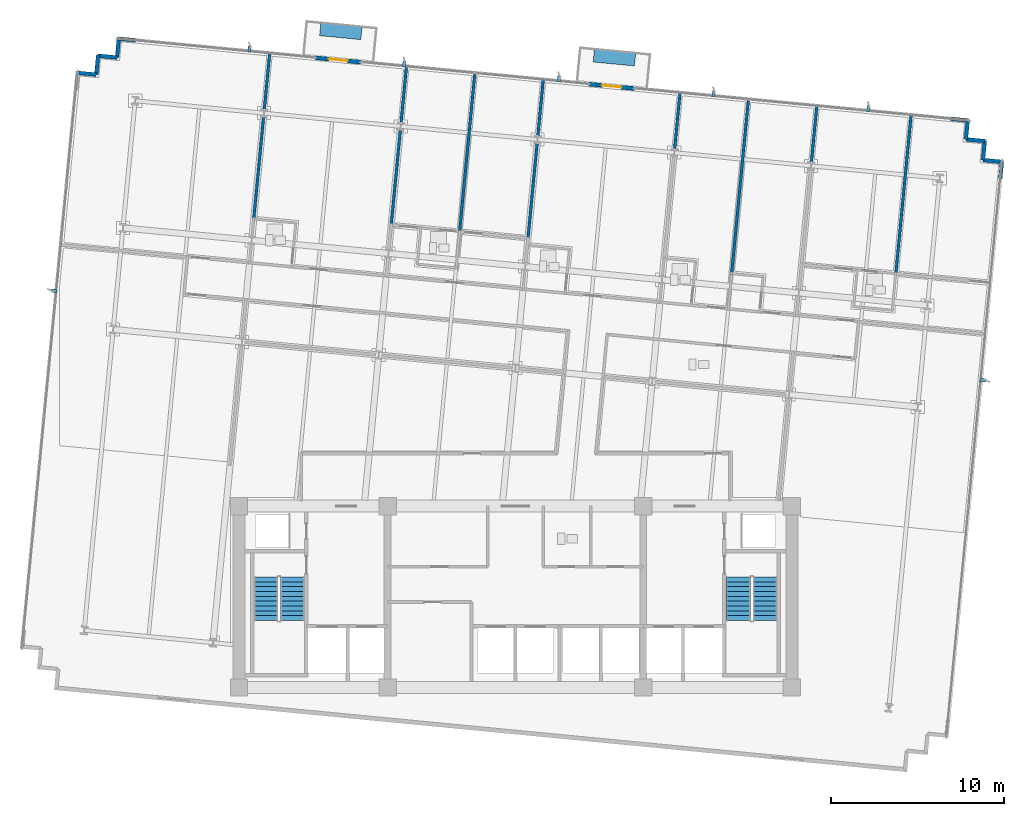
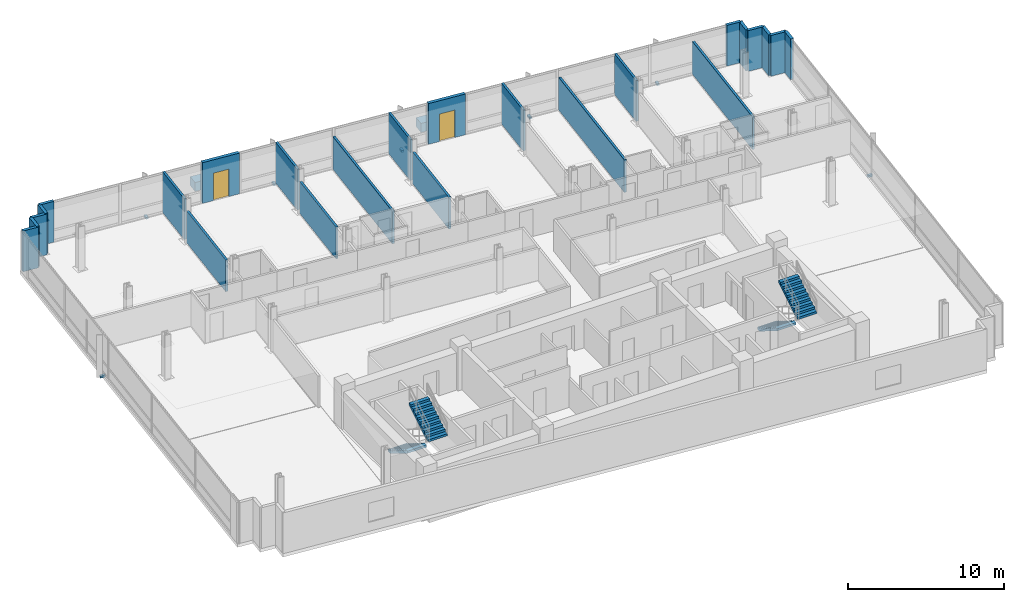
# One storey, part 13 of 17: 24 walls, 9 discrete accessories, 4 stair flights, 2 doors, 2 openings, 2 elements without a shape of their own.
"""IFC4 building model written with IfcOpenShell, lengths in metres."""

import ifcopenshell
import ifcopenshell.guid

model = None  # the IFC model being written
_history = None  # IfcOwnerHistory: only IFC2X3 demands one
_inside = {}  # id of a spatial element -> (the spatial element, [elements in it])
_under = {}  # id of a project, library or spatial element -> (it, [spatial elements below it])
_declared = {}  # id of a project -> (the project, [libraries it declares])
_typed = {}  # id of a type object -> (the type object, [elements of that type])
_made_of = {}  # id of a material, layer set ... -> (it, [elements and type objects made of it])


def new_model(schema):
    """Start an empty IFC model of exactly this schema.

    Asked for "IFC4X3", IfcOpenShell would pick the latest addendum, in which some entities
    have other attributes; the version numbers below select the first issue.
    IFC2X3 requires an IfcOwnerHistory on every rooted entity: one is made here for all.
    """
    global model, _history
    if schema == "IFC4X3":
        model = ifcopenshell.file(schema_version=(4, 3, 0, 0))
    else:
        model = ifcopenshell.file(schema=schema)
    _inside.clear()
    _under.clear()
    _declared.clear()
    _typed.clear()
    _made_of.clear()
    _history = None
    if model.schema == "IFC2X3":
        org = make("IfcOrganization", Name="unknown")
        user = make(
            "IfcPersonAndOrganization",
            ThePerson=make("IfcPerson", FamilyName="unknown"),
            TheOrganization=org,
        )
        app = make(
            "IfcApplication",
            ApplicationDeveloper=org,
            Version="unknown",
            ApplicationFullName="unknown",
            ApplicationIdentifier="unknown",
        )
        _history = make(
            "IfcOwnerHistory",
            OwningUser=user,
            OwningApplication=app,
            ChangeAction="ADDED",
            CreationDate=0,
        )
    return model


def make(cls, **values):
    """One entity of the class cls with the attributes given. An attribute that is None is left unset."""
    return model.create_entity(
        cls, **{name: value for name, value in values.items() if value is not None}
    )


def rooted(cls, **values):
    """An entity with a GlobalId (a new one), such as an element, a storey or a relation."""
    return make(cls, GlobalId=ifcopenshell.guid.new(), OwnerHistory=_history, **values)


def si_unit(unit_type, name, prefix=None):
    """IfcSIUnit, for example si_unit("LENGTHUNIT", "METRE", prefix="MILLI")."""
    return make("IfcSIUnit", UnitType=unit_type, Prefix=prefix, Name=name)


def assignment(units):
    """IfcUnitAssignment: the units of a project."""
    return None if units is None else make("IfcUnitAssignment", Units=units)


def point(xyz):
    """IfcCartesianPoint."""
    return None if xyz is None else make("IfcCartesianPoint", Coordinates=xyz)


def direction(xyz):
    """IfcDirection."""
    return None if xyz is None else make("IfcDirection", DirectionRatios=xyz)


def frame(location, z_axis=None, x_axis=None):
    """IfcAxis2Placement3D, a coordinate frame: its origin and axes. An axis left out is left unset."""
    return make(
        "IfcAxis2Placement3D",
        Location=point(location),
        Axis=direction(z_axis),
        RefDirection=direction(x_axis),
    )


def frame_2d(location, x_axis=None):
    """IfcAxis2Placement2D, a coordinate frame in the plane: its origin and x axis."""
    return make(
        "IfcAxis2Placement2D", Location=point(location), RefDirection=direction(x_axis)
    )


def origin():
    """The frame at (0, 0, 0) with its axes left unset."""
    return frame((0.0, 0.0, 0.0))


def origin_2d():
    """The frame at (0, 0) in the plane with its x axis left unset."""
    return frame_2d((0.0, 0.0))


def place(relative_to, where):
    """IfcLocalPlacement: puts the frame where relative to a parent placement (None: the world)."""
    return make(
        "IfcLocalPlacement", PlacementRelTo=relative_to, RelativePlacement=where
    )


def context(
    kind, dimensions, precision=None, world=None, true_north=None, identifier=None
):
    """IfcGeometricRepresentationContext, for example the 3D "Model" context."""
    return make(
        "IfcGeometricRepresentationContext",
        ContextIdentifier=identifier,
        ContextType=kind,
        CoordinateSpaceDimension=dimensions,
        Precision=precision,
        WorldCoordinateSystem=world,
        TrueNorth=true_north,
    )


def subcontext(parent, identifier, kind, view, scale=None):
    """IfcGeometricRepresentationSubContext, for example "Body" below "Model"."""
    return make(
        "IfcGeometricRepresentationSubContext",
        ContextIdentifier=identifier,
        ContextType=kind,
        ParentContext=parent,
        TargetScale=scale,
        TargetView=view,
    )


def project(units=None, contexts=None):
    """IfcProject with its units and contexts."""
    return rooted(
        "IfcProject",
        Name="project",
        RepresentationContexts=contexts,
        UnitsInContext=assignment(units),
    )


def spatial(cls, under=None, at=None, **own):
    """A site, building, storey or space (cls), placed at a placement, below another one or the project."""
    s = rooted(cls, ObjectPlacement=at, **own)
    if under is not None:
        _under.setdefault(under.id(), (under, []))[1].append(s)
    return s


def polyline(points):
    """IfcPolyline through the points."""
    return make("IfcPolyline", Points=[point(p) for p in points])


def profile(cls, at=None, kind="AREA", **sizes):
    """A parametric profile (cls). Its sizes go by their IFC names, for example OverallWidth=200.0."""
    return make(cls, ProfileType=kind, Position=at, **sizes)


def rectangle(**sizes):
    """IfcRectangleProfileDef."""
    return profile("IfcRectangleProfileDef", **sizes)


def outline(outer, holes=None, kind="AREA"):
    """IfcArbitraryClosedProfileDef: a profile drawn as a closed curve; with holes, ...WithVoids."""
    if holes is None:
        return make("IfcArbitraryClosedProfileDef", ProfileType=kind, OuterCurve=outer)
    return make(
        "IfcArbitraryProfileDefWithVoids",
        ProfileType=kind,
        OuterCurve=outer,
        InnerCurves=holes,
    )


def extrude(swept, where, along, depth):
    """IfcExtrudedAreaSolid: the profile swept, set in the frame where, extruded along a direction by depth."""
    return make(
        "IfcExtrudedAreaSolid",
        SweptArea=swept,
        Position=where,
        ExtrudedDirection=direction(along),
        Depth=depth,
    )


def shape(context_of_items, identifier, shape_type, items):
    """IfcShapeRepresentation: the items that make up one representation, for example the "Body"."""
    return make(
        "IfcShapeRepresentation",
        ContextOfItems=context_of_items,
        RepresentationIdentifier=identifier,
        RepresentationType=shape_type,
        Items=items,
    )


def material(Name=None, Category=None):
    """IfcMaterial."""
    return make("IfcMaterial", Name=Name, Category=Category)


def layer(
    of_material, thickness, ventilated=None, Name=None, Category=None, Priority=None
):
    """IfcMaterialLayer: one layer of a wall or slab, of a material (None: an air gap)."""
    return make(
        "IfcMaterialLayer",
        Material=of_material,
        LayerThickness=thickness,
        IsVentilated=ventilated,
        Name=Name,
        Category=Category,
        Priority=Priority,
    )


def layer_set(layers, Name=None):
    """IfcMaterialLayerSet."""
    return make("IfcMaterialLayerSet", MaterialLayers=layers, LayerSetName=Name)


def made_of(thing, what):
    """Note that an element or type object is made of a material, layer set ...; save() writes the relation."""
    if what is not None:
        _made_of.setdefault(what.id(), (what, []))[1].append(thing)
    return thing


def type_object(cls, material=None, **own):
    """A type object (cls), such as IfcWallType, which elements share."""
    return made_of(rooted(cls, **own), material)


def element(
    cls,
    number,
    at=None,
    inside=None,
    cuts=None,
    type_object=None,
    material=None,
    context=None,
    identifier="Body",
    shape_type=None,
    held_by="IfcProductDefinitionShape",
    body=None,
    shapes=None,
    **own,
):
    """One element of the class cls, such as IfcWall. Its Tag is "e" and its number.

    at: its placement. inside: the storey or other place that contains it. cuts: it is an
    opening in that element (IfcRelVoidsElement). A single representation is given by context,
    identifier, shape_type and body (its items); several are given by shapes. held_by: the class
    of the entity that holds the representations. save() writes the other relations.
    """
    e = rooted(cls, Tag="e%d" % number, ObjectPlacement=at, **own)
    if body is not None:
        shapes = [shape(context, identifier, shape_type, body)]
    if shapes is not None:
        e.Representation = make(held_by, Representations=shapes)
    if inside is not None:
        _inside.setdefault(inside.id(), (inside, []))[1].append(e)
    if cuts is not None:
        rooted(
            "IfcRelVoidsElement", RelatingBuildingElement=cuts, RelatedOpeningElement=e
        )
    if type_object is not None:
        _typed.setdefault(type_object.id(), (type_object, []))[1].append(e)
    return made_of(e, material)


def fill(opening, filler):
    """IfcRelFillsElement: the door or window that sits in an opening."""
    return rooted(
        "IfcRelFillsElement",
        RelatingOpeningElement=opening,
        RelatedBuildingElement=filler,
    )


def aggregate(whole, parts):
    """IfcRelAggregates: a whole, such as a stair, and the parts it consists of."""
    return rooted("IfcRelAggregates", RelatingObject=whole, RelatedObjects=parts)


def save(model, path):
    """Write the relations noted so far, then the file.

    IfcRelAggregates (storeys below a building ...), IfcRelContainedInSpatialStructure (elements
    in a storey), IfcRelDefinesByType, IfcRelAssociatesMaterial and IfcRelDeclares: one each for
    every whole, place, type object, material and project.
    """
    for whole, parts in _under.values():
        aggregate(whole, parts)
    for where, things in _inside.values():
        rooted(
            "IfcRelContainedInSpatialStructure",
            RelatedElements=things,
            RelatingStructure=where,
        )
    for kind, things in _typed.values():
        rooted("IfcRelDefinesByType", RelatedObjects=things, RelatingType=kind)
    for what, things in _made_of.values():
        rooted("IfcRelAssociatesMaterial", RelatedObjects=things, RelatingMaterial=what)
    for by, libraries in _declared.values():
        rooted("IfcRelDeclares", RelatingContext=by, RelatedDefinitions=libraries)
    model.write(path)


model = new_model("IFC4")

# Units and contexts
model_context = context("Model", 3, precision=1e-05, world=origin(), true_north=direction((0.0, 1.0)))
body_context = subcontext(model_context, "Body", "Model", "MODEL_VIEW")
ifc_project = project(units=[si_unit("LENGTHUNIT", "METRE"), si_unit("AREAUNIT", "SQUARE_METRE"), si_unit("VOLUMEUNIT", "CUBIC_METRE"), si_unit("PLANEANGLEUNIT", "RADIAN"), si_unit("MASSUNIT", "GRAM", prefix="KILO")], contexts=[model_context])

# Site, building, storey
site_placement = place(None, origin())
site = spatial("IfcSite", under=ifc_project, at=site_placement, CompositionType="ELEMENT")
building_placement = place(site_placement, origin())
building = spatial("IfcBuilding", under=site, at=building_placement, Name="Solmavex Isthmus Hotel", CompositionType="ELEMENT")
storey_placement = place(building_placement, frame((0.0, 0.0, 146.25)))
storey = spatial("IfcBuildingStorey", under=building, at=storey_placement, Name="L39", CompositionType="ELEMENT", Elevation=146.25)

# Wall, opening, door
ifc_material_1 = material(Name="Precast Concrete C40/50", Category="concrete")
ifc_layer_1 = layer(ifc_material_1, 0.25)
ifc_layer_set_1 = layer_set([ifc_layer_1], Name="Precast Concrete C40/50")
wall_type_1 = type_object("IfcWallType", Name="EW-TWR-250", PredefinedType="STANDARD", material=ifc_layer_set_1)
wall_1_placement = place(storey_placement, frame((-11.5634765625, 23.46142578125, 0.0), z_axis=(0.0, 0.0, 1.0), x_axis=(0.995402144456, -0.095783979938, 0.0)))
wall_1 = element("IfcWall", 1, at=wall_1_placement, inside=storey, type_object=wall_type_1, Name="Exterior Balcony Door Wall L39-2", PredefinedType="STANDARD", context=body_context, shape_type="SweptSolid", body=[
    extrude(rectangle(XDim=2.599853515625, YDim=0.239990234375, at=frame_2d((1.2998046875, 0.0))), origin(), (0.0, 0.0, 1.0), 3.18994140625),
])
opening_1_placement = place(wall_1_placement, frame((0.75, 0.0, 0.0)))
opening_1 = element("IfcOpeningElement", 2, at=opening_1_placement, cuts=wall_1, Name="Opening ED-02", PredefinedType="OPENING", context=body_context, shape_type="SweptSolid", body=[
    extrude(rectangle(XDim=1.10009765625, YDim=2.14990234375, at=frame_2d((0.550048828125, 1.074951171875))), frame((0.0, 0.1298828125, 0.0), z_axis=(0.0, -1.0, 0.0), x_axis=(1.0, 0.0, 0.0)), (0.0, 0.0, 1.0), 0.260009765625),
])
ifc_material_2 = material(Name="Aluminium alloy 6063-T6", Category="aluminium")
door_type = type_object("IfcDoorType", Name="EDR-BALC-1100", OperationType="NOTDEFINED", PredefinedType="DOOR", material=ifc_material_2)
door_1_placement = place(opening_1_placement, origin())
door_1 = element("IfcDoor", 3, at=door_1_placement, inside=storey, type_object=door_type, Name="Balcony & Terrace Glazed Door L39-2", OperationType="SINGLE_SWING_RIGHT", OverallHeight=2.14990234375, OverallWidth=1.10009765625, PredefinedType="DOOR", context=body_context, shape_type="SweptSolid", body=[
    extrude(rectangle(XDim=1.10009765625, YDim=2.14990234375, at=frame_2d((0.550048828125, 1.074951171875))), frame((0.0, 0.02490234375, 0.0), z_axis=(0.0, -1.0, 0.0), x_axis=(1.0, 0.0, 0.0)), (0.0, 0.0, 1.0), 0.050048828125),
])
fill(opening_1, door_1)

wall_2_placement = place(storey_placement, frame((4.275146484375, 21.9365234375, 0.0), z_axis=(0.0, 0.0, 1.0), x_axis=(0.995394049959, -0.095868061976, 0.0)))
wall_2 = element("IfcWall", 4, at=wall_2_placement, inside=storey, type_object=wall_type_1, Name="Exterior Balcony Door Wall L39-3", PredefinedType="STANDARD", context=body_context, shape_type="SweptSolid", body=[
    extrude(rectangle(XDim=2.60009765625, YDim=0.239990234375, at=frame_2d((1.300048828125, 0.0))), origin(), (0.0, 0.0, 1.0), 3.18994140625),
])
opening_2_placement = place(wall_2_placement, frame((0.75, 0.0, 0.0)))
opening_2 = element("IfcOpeningElement", 5, at=opening_2_placement, cuts=wall_2, Name="Opening ED-02", PredefinedType="OPENING", context=body_context, shape_type="SweptSolid", body=[
    extrude(rectangle(XDim=1.10009765625, YDim=2.14990234375, at=frame_2d((0.550048828125, 1.074951171875))), frame((0.0, 0.1298828125, 0.0), z_axis=(0.0, -1.0, 0.0), x_axis=(1.0, 0.0, 0.0)), (0.0, 0.0, 1.0), 0.260009765625),
])
door_2_placement = place(opening_2_placement, origin())
door_2 = element("IfcDoor", 6, at=door_2_placement, inside=storey, type_object=door_type, Name="Balcony & Terrace Glazed Door L39-3", OperationType="SINGLE_SWING_LEFT", OverallHeight=2.14990234375, OverallWidth=1.10009765625, PredefinedType="DOOR", context=body_context, shape_type="SweptSolid", body=[
    extrude(rectangle(XDim=1.10009765625, YDim=2.14990234375, at=frame_2d((0.550048828125, 1.074951171875))), frame((0.0, 0.02490234375, 0.0), z_axis=(0.0, -1.0, 0.0), x_axis=(1.0, 0.0, 0.0)), (0.0, 0.0, 1.0), 0.050048828125),
])
fill(opening_2, door_2)

# Walls
for number, where, z_axis, x_axis, name in (
    (7, (-25.366455078125, 22.59033203125, 0.0), (0.0, 0.0, 1.0), (0.995414313875, -0.095657429048, 0.0), "Serrated Corner Facade Panel L39-08"),
    (8, (-24.271484375, 22.485107421875, 0.0), (0.0, 0.0, 1.0), (0.095657429048, 0.995414313875, 0.0), "Serrated Corner Facade Panel L39-09"),
    (9, (-24.166259765625, 23.580078125, 0.0), (0.0, 0.0, 1.0), (0.995393156894, -0.095877334176, 0.0), "Serrated Corner Facade Panel L39-10"),
    (10, (-23.0712890625, 23.474609375, 0.0), (0.0, 0.0, 1.0), (0.095877334176, 0.995393156894, 0.0), "Serrated Corner Facade Panel L39-11"),
):
    element("IfcWall", number, at=place(storey_placement, frame(where, z_axis=z_axis, x_axis=x_axis)), inside=storey, type_object=wall_type_1, Name=name, PredefinedType="STANDARD", context=body_context, shape_type="SweptSolid", body=[
        extrude(rectangle(XDim=1.10009765625, YDim=0.219970703125, at=frame_2d((0.550048828125, 0.0))), origin(), (0.0, 0.0, 1.0), 3.18994140625),
    ])
for number, where, z_axis, x_axis, name in (
    (11, (-22.9658203125, 24.569580078125, 0.0), (0.0, 0.0, 1.0), (0.995387314086, -0.095937974524, 0.0), "Serrated Corner Facade Panel L39-12"),
    (12, (25.201416015625, 19.931396484375, 0.0), (0.0, 0.0, 1.0), (0.99541083642, -0.095693608655, 0.0), "Serrated Corner Facade Panel L39-14"),
):
    element("IfcWall", number, at=place(storey_placement, frame(where, z_axis=z_axis, x_axis=x_axis)), inside=storey, type_object=wall_type_1, Name=name, PredefinedType="STANDARD", context=body_context, shape_type="SweptSolid", body=[
        extrude(rectangle(XDim=0.989990234375, YDim=0.219970703125, at=frame_2d((0.4951171875, 0.0))), origin(), (0.0, 0.0, 1.0), 3.18994140625),
    ])
wall_3_placement = place(storey_placement, frame((26.186767578125, 19.836669921875, 0.0), z_axis=(0.0, 0.0, 1.0), x_axis=(-0.095657429048, -0.995414313875, 0.0)))
element("IfcWall", 13, at=wall_3_placement, inside=storey, type_object=wall_type_1, Name="Serrated Corner Facade Panel L39-15", PredefinedType="STANDARD", context=body_context, shape_type="SweptSolid", body=[
    extrude(rectangle(XDim=1.10009765625, YDim=0.219970703125, at=frame_2d((0.550048828125, 0.0))), origin(), (0.0, 0.0, 1.0), 3.18994140625),
])
wall_4_placement = place(storey_placement, frame((26.08154296875, 18.74169921875, 0.0), z_axis=(0.0, 0.0, 1.0), x_axis=(0.995391116058, -0.095898519656, 0.0)))
element("IfcWall", 14, at=wall_4_placement, inside=storey, type_object=wall_type_1, Name="Serrated Corner Facade Panel L39-16", PredefinedType="STANDARD", context=body_context, shape_type="SweptSolid", body=[
    extrude(rectangle(XDim=1.099853515625, YDim=0.219970703125, at=frame_2d((0.5498046875, 0.0))), origin(), (0.0, 0.0, 1.0), 3.18994140625),
])
wall_5_placement = place(storey_placement, frame((27.17626953125, 18.63623046875, 0.0), z_axis=(0.0, 0.0, 1.0), x_axis=(-0.095657429048, -0.995414313875, 0.0)))
element("IfcWall", 15, at=wall_5_placement, inside=storey, type_object=wall_type_1, Name="Serrated Corner Facade Panel L39-17", PredefinedType="STANDARD", context=body_context, shape_type="SweptSolid", body=[
    extrude(rectangle(XDim=1.10009765625, YDim=0.219970703125, at=frame_2d((0.550048828125, 0.0))), origin(), (0.0, 0.0, 1.0), 3.18994140625),
])
wall_6_placement = place(storey_placement, frame((27.071044921875, 17.541259765625, 0.0), z_axis=(0.0, 0.0, 1.0), x_axis=(0.995391116058, -0.095898519656, 0.0)))
element("IfcWall", 16, at=wall_6_placement, inside=storey, type_object=wall_type_1, Name="Serrated Corner Facade Panel L39-18", PredefinedType="STANDARD", context=body_context, shape_type="SweptSolid", body=[
    extrude(rectangle(XDim=1.099853515625, YDim=0.219970703125, at=frame_2d((0.5498046875, 0.0))), origin(), (0.0, 0.0, 1.0), 3.18994140625),
])
wall_7_placement = place(storey_placement, frame((28.165771484375, 17.435791015625, 0.0), z_axis=(0.0, 0.0, 1.0), x_axis=(-0.095693608655, -0.99541083642, 0.0)))
element("IfcWall", 17, at=wall_7_placement, inside=storey, type_object=wall_type_1, Name="Serrated Corner Facade Panel L39-19", PredefinedType="STANDARD", context=body_context, shape_type="SweptSolid", body=[
    extrude(rectangle(XDim=0.989990234375, YDim=0.219970703125, at=frame_2d((0.4951171875, 0.0))), origin(), (0.0, 0.0, 1.0), 3.18994140625),
])
ifc_material_3 = material(Name="Gypsum plasterboard lining", Category="gypsum")
ifc_layer_2 = layer(ifc_material_3, 0.159912109375)
ifc_layer_set_2 = layer_set([ifc_layer_2], Name="Gypsum plasterboard lining")
wall_type_2 = type_object("IfcWallType", Name="IW-COMP-160", PredefinedType="PARTITIONING", material=ifc_layer_set_2)
wall_8_placement = place(storey_placement, frame((-14.57958984375, 20.0791015625, 0.0), z_axis=(0.0, 0.0, 1.0), x_axis=(-0.095823018237, -0.995398387168, 0.0)))
element("IfcWall", 18, at=wall_8_placement, inside=storey, type_object=wall_type_2, Name="Interior Partition Wall W-L39-P026", PredefinedType="PARTITIONING", context=body_context, shape_type="SweptSolid", body=[
    extrude(rectangle(XDim=6.05615234375, YDim=0.159912109375, at=frame_2d((3.028076171875, 0.0))), origin(), (0.0, 0.0, 1.0), 2.4794921875),
])
wall_9_placement = place(storey_placement, frame((-14.225341796875, 23.758056640625, 0.0), z_axis=(0.0, 0.0, 1.0), x_axis=(-0.095859866796, -0.995394839216, 0.0)))
element("IfcWall", 19, at=wall_9_placement, inside=storey, type_object=wall_type_2, Name="Interior Partition Wall W-L39-P027", PredefinedType="PARTITIONING", context=body_context, shape_type="SweptSolid", body=[
    extrude(rectangle(XDim=3.343994140625, YDim=0.159912109375, at=frame_2d((1.671875, 0.0))), origin(), (0.0, 0.0, 1.0), 3.18994140625),
])
wall_10_placement = place(storey_placement, frame((-6.66015625, 19.31640625, 0.0), z_axis=(0.0, 0.0, 1.0), x_axis=(-0.095877964448, -0.995393096185, 0.0)))
element("IfcWall", 20, at=wall_10_placement, inside=storey, type_object=wall_type_2, Name="Interior Partition Wall W-L39-P035", PredefinedType="PARTITIONING", context=body_context, shape_type="SweptSolid", body=[
    extrude(rectangle(XDim=5.64794921875, YDim=0.159912109375, at=frame_2d((2.823974609375, 0.0))), origin(), (0.0, 0.0, 1.0), 2.4794921875),
])
wall_11_placement = place(storey_placement, frame((-6.305908203125, 22.995361328125, 0.0), z_axis=(0.0, 0.0, 1.0), x_axis=(-0.095859866796, -0.995394839216, 0.0)))
element("IfcWall", 21, at=wall_11_placement, inside=storey, type_object=wall_type_2, Name="Interior Partition Wall W-L39-P036", PredefinedType="PARTITIONING", context=body_context, shape_type="SweptSolid", body=[
    extrude(rectangle(XDim=3.343994140625, YDim=0.159912109375, at=frame_2d((1.671875, 0.0))), origin(), (0.0, 0.0, 1.0), 3.18994140625),
])
wall_12_placement = place(storey_placement, frame((-2.35791015625, 22.49462890625, 0.0), z_axis=(0.0, 0.0, 1.0), x_axis=(-0.095827921947, -0.995397915095, 0.0)))
element("IfcWall", 22, at=wall_12_placement, inside=storey, type_object=wall_type_2, Name="Interior Partition Wall W-L39-P044", PredefinedType="PARTITIONING", context=body_context, shape_type="SweptSolid", body=[
    extrude(rectangle(XDim=9.181884765625, YDim=0.159912109375, at=frame_2d((4.5908203125, 0.0))), origin(), (0.0, 0.0, 1.0), 2.5576171875),
])
wall_13_placement = place(storey_placement, frame((1.259033203125, 18.553955078125, 0.0), z_axis=(0.0, 0.0, 1.0), x_axis=(-0.095807834241, -0.995399848753, 0.0)))
element("IfcWall", 23, at=wall_13_placement, inside=storey, type_object=wall_type_2, Name="Interior Partition Wall W-L39-P046", PredefinedType="PARTITIONING", context=body_context, shape_type="SweptSolid", body=[
    extrude(rectangle(XDim=5.606201171875, YDim=0.159912109375, at=frame_2d((2.80322265625, 0.0))), origin(), (0.0, 0.0, 1.0), 2.4794921875),
])
for number, where, z_axis, x_axis, name in (
    (24, (1.61328125, 22.23291015625, 0.0), (0.0, 0.0, 1.0), (-0.095787528641, -0.99540180297, 0.0), "Interior Partition Wall W-L39-P047"),
    (25, (9.53271484375, 21.470458984375, 0.0), (0.0, 0.0, 1.0), (-0.095859866796, -0.995394839216, 0.0), "Interior Partition Wall W-L39-P051"),
):
    element("IfcWall", number, at=place(storey_placement, frame(where, z_axis=z_axis, x_axis=x_axis)), inside=storey, type_object=wall_type_2, Name=name, PredefinedType="PARTITIONING", context=body_context, shape_type="SweptSolid", body=[
        extrude(rectangle(XDim=3.343994140625, YDim=0.159912109375, at=frame_2d((1.671875, 0.0))), origin(), (0.0, 0.0, 1.0), 3.18994140625),
    ])
wall_14_placement = place(storey_placement, frame((13.48095703125, 20.9697265625, 0.0), z_axis=(0.0, 0.0, 1.0), x_axis=(-0.095852900965, -0.995395510024, 0.0)))
element("IfcWall", 26, at=wall_14_placement, inside=storey, type_object=wall_type_2, Name="Interior Partition Wall W-L39-P056", PredefinedType="PARTITIONING", context=body_context, shape_type="SweptSolid", body=[
    extrude(rectangle(XDim=10.132080078125, YDim=0.159912109375, at=frame_2d((5.06591796875, 0.0))), origin(), (0.0, 0.0, 1.0), 2.5576171875),
])
wall_15_placement = place(storey_placement, frame((17.4521484375, 20.707763671875, 0.0), z_axis=(0.0, 0.0, 1.0), x_axis=(-0.095859866796, -0.995394839216, 0.0)))
element("IfcWall", 27, at=wall_15_placement, inside=storey, type_object=wall_type_2, Name="Interior Partition Wall W-L39-P063", PredefinedType="PARTITIONING", context=body_context, shape_type="SweptSolid", body=[
    extrude(rectangle(XDim=3.343994140625, YDim=0.159912109375, at=frame_2d((1.671875, 0.0))), origin(), (0.0, 0.0, 1.0), 3.18994140625),
])
wall_16_placement = place(storey_placement, frame((22.910888671875, 20.18212890625, 0.0), z_axis=(0.0, 0.0, 1.0), x_axis=(-0.095851937807, -0.995395602772, 0.0)))
element("IfcWall", 28, at=wall_16_placement, inside=storey, type_object=wall_type_2, Name="Interior Partition Wall W-L39-P070", PredefinedType="PARTITIONING", context=body_context, shape_type="SweptSolid", body=[
    extrude(rectangle(XDim=9.3017578125, YDim=0.159912109375, at=frame_2d((4.65087890625, 0.0))), origin(), (0.0, 0.0, 1.0), 2.5576171875),
])

# Stair, stair flights
ifc_material_4 = material(Name="Concrete C40/50", Category="concrete")
stair_type_1 = type_object("IfcStairType", Name="STR-ST-1", PredefinedType="HALF_TURN_STAIR", material=ifc_material_4)
stair_1_placement = place(storey_placement, origin())
stair_1 = element("IfcStair", 29, at=stair_1_placement, inside=storey, type_object=stair_type_1, Name="L39 Protected Exit Stair ST-1", PredefinedType="HALF_TURN_STAIR")
stair_flight_type_1 = type_object("IfcStairFlightType", Name="SFL-ST-1", PredefinedType="STRAIGHT", material=ifc_material_4)
stair_flight_1_placement = place(storey_placement, frame((-14.449951171875, -6.60009765625, 0.0), z_axis=(0.0, 0.0, 1.0), x_axis=(0.0, -1.0, 0.0)))
stair_flight_1 = element("IfcStairFlight", 30, at=stair_flight_1_placement, type_object=stair_flight_type_1, Name="ST-1 flight 1", NumberOfRisers=10, NumberOfTreads=9, PredefinedType="STRAIGHT", RiserHeight=0.1725, TreadLength=0.28, context=body_context, shape_type="SweptSolid", body=[
    extrude(outline(polyline([(0.0, 0.0), (0.0, 0.172607421875), (0.280029296875, 0.172607421875), (0.280029296875, 0.344970703125), (0.56005859375, 0.344970703125), (0.56005859375, 0.517578125), (0.840087890625, 0.517578125), (0.840087890625, 0.68994140625), (1.1201171875, 0.68994140625), (1.1201171875, 0.862548828125), (1.39990234375, 0.862548828125), (1.39990234375, 1.034912109375), (1.679931640625, 1.034912109375), (1.679931640625, 1.20751953125), (1.9599609375, 1.20751953125), (1.9599609375, 1.3798828125), (2.239990234375, 1.3798828125), (2.239990234375, 1.552490234375), (2.52001953125, 1.552490234375), (2.52001953125, 1.72509765625), (2.52001953125, 1.37646484375), (0.285888671875, 0.0), (0.0, 0.0)])), frame((0.0, 0.699951171875, 0.0), z_axis=(0.0, -1.0, 0.0), x_axis=(1.0, 0.0, 0.0)), (0.0, 0.0, 1.0), 1.39990234375),
])
stair_flight_2_placement = place(storey_placement, frame((-12.89990234375, -9.1201171875, 1.72509765625), z_axis=(0.0, 0.0, 1.0), x_axis=(0.0, 1.0, 0.0)))
stair_flight_2 = element("IfcStairFlight", 31, at=stair_flight_2_placement, type_object=stair_flight_type_1, Name="ST-1 flight 2", NumberOfRisers=10, NumberOfTreads=9, PredefinedType="STRAIGHT", RiserHeight=0.1725, TreadLength=0.28, context=body_context, shape_type="SweptSolid", body=[
    extrude(outline(polyline([(0.0, 0.0), (0.0, 0.172607421875), (0.280029296875, 0.172607421875), (0.280029296875, 0.344970703125), (0.56005859375, 0.344970703125), (0.56005859375, 0.517578125), (0.840087890625, 0.517578125), (0.840087890625, 0.68994140625), (1.1201171875, 0.68994140625), (1.1201171875, 0.862548828125), (1.39990234375, 0.862548828125), (1.39990234375, 1.034912109375), (1.679931640625, 1.034912109375), (1.679931640625, 1.20751953125), (1.9599609375, 1.20751953125), (1.9599609375, 1.3798828125), (2.239990234375, 1.3798828125), (2.239990234375, 1.552490234375), (2.52001953125, 1.552490234375), (2.52001953125, 1.72509765625), (2.52001953125, 1.37646484375), (0.285888671875, 0.0), (0.0, 0.0)])), frame((0.0, 0.699951171875, 0.0), z_axis=(0.0, -1.0, 0.0), x_axis=(1.0, 0.0, 0.0)), (0.0, 0.0, 1.0), 1.39990234375),
])
aggregate(stair_1, [stair_flight_1, stair_flight_2])

stair_type_2 = type_object("IfcStairType", Name="STR-ST-2", PredefinedType="HALF_TURN_STAIR", material=ifc_material_4)
stair_2_placement = place(storey_placement, origin())
stair_2 = element("IfcStair", 32, at=stair_2_placement, inside=storey, type_object=stair_type_2, Name="L39 Protected Exit Stair ST-2", PredefinedType="HALF_TURN_STAIR")
stair_flight_type_2 = type_object("IfcStairFlightType", Name="SFL-ST-2", PredefinedType="STRAIGHT", material=ifc_material_4)
stair_flight_3_placement = place(storey_placement, frame((12.89990234375, -6.60009765625, 0.0), z_axis=(0.0, 0.0, 1.0), x_axis=(0.0, -1.0, 0.0)))
stair_flight_3 = element("IfcStairFlight", 33, at=stair_flight_3_placement, type_object=stair_flight_type_2, Name="ST-2 flight 1", NumberOfRisers=10, NumberOfTreads=9, PredefinedType="STRAIGHT", RiserHeight=0.1725, TreadLength=0.28, context=body_context, shape_type="SweptSolid", body=[
    extrude(outline(polyline([(0.0, 0.0), (0.0, 0.172607421875), (0.280029296875, 0.172607421875), (0.280029296875, 0.344970703125), (0.56005859375, 0.344970703125), (0.56005859375, 0.517578125), (0.840087890625, 0.517578125), (0.840087890625, 0.68994140625), (1.1201171875, 0.68994140625), (1.1201171875, 0.862548828125), (1.39990234375, 0.862548828125), (1.39990234375, 1.034912109375), (1.679931640625, 1.034912109375), (1.679931640625, 1.20751953125), (1.9599609375, 1.20751953125), (1.9599609375, 1.3798828125), (2.239990234375, 1.3798828125), (2.239990234375, 1.552490234375), (2.52001953125, 1.552490234375), (2.52001953125, 1.72509765625), (2.52001953125, 1.37646484375), (0.285888671875, 0.0), (0.0, 0.0)])), frame((0.0, 0.699951171875, 0.0), z_axis=(0.0, -1.0, 0.0), x_axis=(1.0, 0.0, 0.0)), (0.0, 0.0, 1.0), 1.39990234375),
])
stair_flight_4_placement = place(storey_placement, frame((14.449951171875, -9.1201171875, 1.72509765625), z_axis=(0.0, 0.0, 1.0), x_axis=(0.0, 1.0, 0.0)))
stair_flight_4 = element("IfcStairFlight", 34, at=stair_flight_4_placement, type_object=stair_flight_type_2, Name="ST-2 flight 2", NumberOfRisers=10, NumberOfTreads=9, PredefinedType="STRAIGHT", RiserHeight=0.1725, TreadLength=0.28, context=body_context, shape_type="SweptSolid", body=[
    extrude(outline(polyline([(0.0, 0.0), (0.0, 0.172607421875), (0.280029296875, 0.172607421875), (0.280029296875, 0.344970703125), (0.56005859375, 0.344970703125), (0.56005859375, 0.517578125), (0.840087890625, 0.517578125), (0.840087890625, 0.68994140625), (1.1201171875, 0.68994140625), (1.1201171875, 0.862548828125), (1.39990234375, 0.862548828125), (1.39990234375, 1.034912109375), (1.679931640625, 1.034912109375), (1.679931640625, 1.20751953125), (1.9599609375, 1.20751953125), (1.9599609375, 1.3798828125), (2.239990234375, 1.3798828125), (2.239990234375, 1.552490234375), (2.52001953125, 1.552490234375), (2.52001953125, 1.72509765625), (2.52001953125, 1.37646484375), (0.285888671875, 0.0), (0.0, 0.0)])), frame((0.0, 0.699951171875, 0.0), z_axis=(0.0, -1.0, 0.0), x_axis=(1.0, 0.0, 0.0)), (0.0, 0.0, 1.0), 1.39990234375),
])
aggregate(stair_2, [stair_flight_3, stair_flight_4])

# Discrete accessories
ifc_material_5 = material(Name="Steel ASTM A572 Grade 50", Category="steel")
discrete_accessory_type_1 = type_object("IfcDiscreteAccessoryType", Name="ACC-BRK-FIN", PredefinedType="BRACKET", material=ifc_material_5)
for number, where, z_axis, x_axis, name in (
    (35, (-15.398193359375, 23.971435546875, -0.169921875), (0.0, 0.0, 1.0), (0.09584575252, 0.995396198367, 0.0), "Facade Fin Support Bracket L39-N1"),
    (36, (-6.439697265625, 23.10888671875, -0.169921875), (0.0, 0.0, 1.0), (0.09584575252, 0.995396198367, 0.0), "Facade Fin Support Bracket L39-N2"),
    (37, (2.518798828125, 22.24609375, -0.169921875), (0.0, 0.0, 1.0), (0.09584575252, 0.995396198367, 0.0), "Facade Fin Support Bracket L39-N3"),
    (38, (11.477294921875, 21.383544921875, -0.169921875), (0.0, 0.0, 1.0), (0.09584575252, 0.995396198367, 0.0), "Facade Fin Support Bracket L39-N4"),
    (39, (20.43603515625, 20.52099609375, -0.169921875), (0.0, 0.0, 1.0), (0.09584575252, 0.995396198367, 0.0), "Facade Fin Support Bracket L39-N5"),
    (40, (-26.712158203125, 9.971435546875, -0.169921875), (0.0, 0.0, 1.0), (-0.995396198367, 0.09584575252, 0.0), "Facade Fin Support Bracket L39-W1"),
    (41, (27.0791015625, 4.791748046875, -0.169921875), (0.0, 0.0, 1.0), (0.995396198367, -0.09584575252, 0.0), "Facade Fin Support Bracket L39-E1"),
):
    element("IfcDiscreteAccessory", number, at=place(storey_placement, frame(where, z_axis=z_axis, x_axis=x_axis)), inside=storey, type_object=discrete_accessory_type_1, Name=name, PredefinedType="BRACKET", context=body_context, shape_type="SweptSolid", body=[
        extrude(rectangle(XDim=0.340087890625, YDim=0.179931640625, at=origin_2d()), origin(), (0.0, 0.0, 1.0), 0.159912109375),
    ])
discrete_accessory_type_2 = type_object("IfcDiscreteAccessoryType", Name="ACC-PLN-BALC", PredefinedType="USERDEFINED", material=ifc_material_1)
for number, where, z_axis, x_axis, name in (
    (42, (-10.109375, 24.999267578125, 0.0), (0.0, 0.0, 1.0), (0.995396198367, -0.09584575252, 0.0), "Tree-Balcony Architectural Planter L39-B1"),
    (43, (5.729248046875, 23.47412109375, 0.0), (0.0, 0.0, 1.0), (0.995396198367, -0.09584575252, 0.0), "Tree-Balcony Architectural Planter L39-B2"),
):
    element("IfcDiscreteAccessory", number, at=place(storey_placement, frame(where, z_axis=z_axis, x_axis=x_axis)), inside=storey, type_object=discrete_accessory_type_2, Name=name, ObjectType="PLANTER", PredefinedType="USERDEFINED", context=body_context, shape_type="SweptSolid", body=[
        extrude(rectangle(XDim=2.39990234375, YDim=0.75, at=origin_2d()), origin(), (0.0, 0.0, 1.0), 0.699951171875),
    ])

save(model, "model.ifc")
